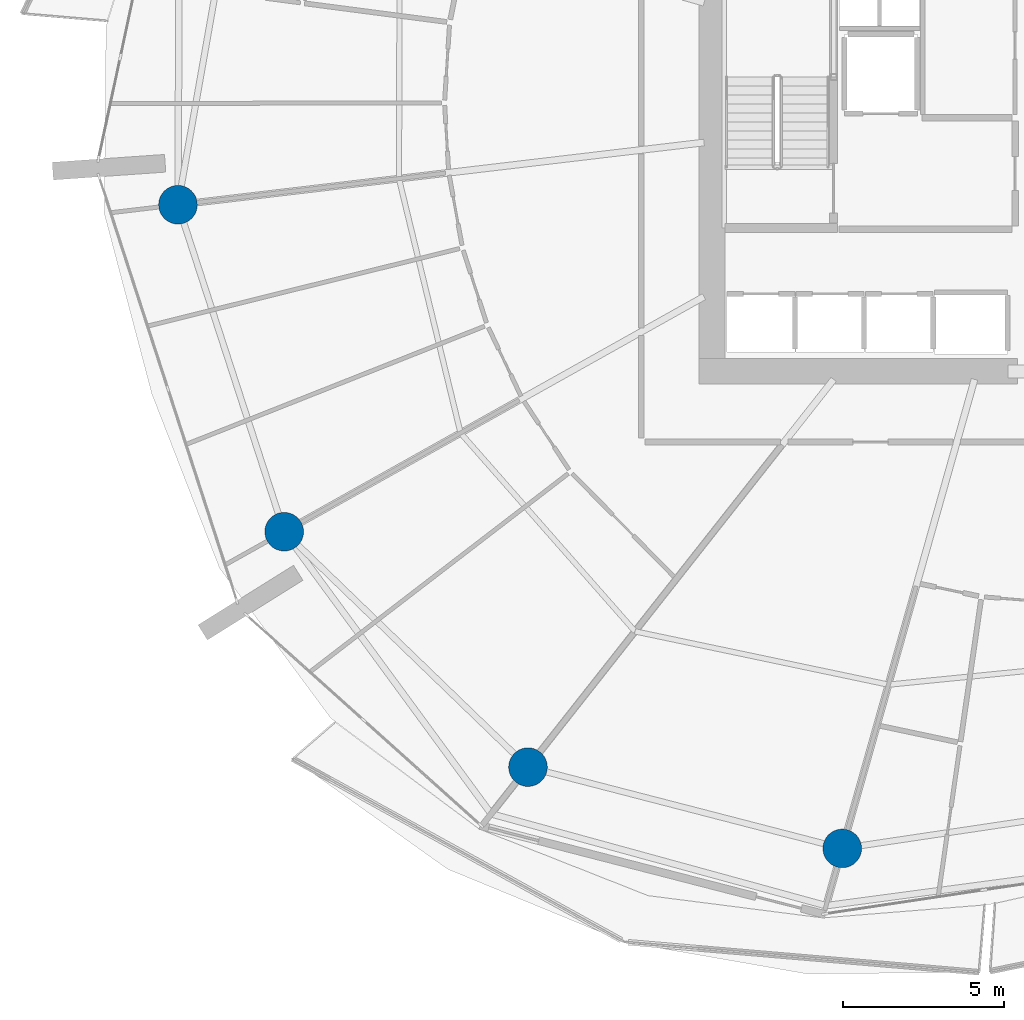
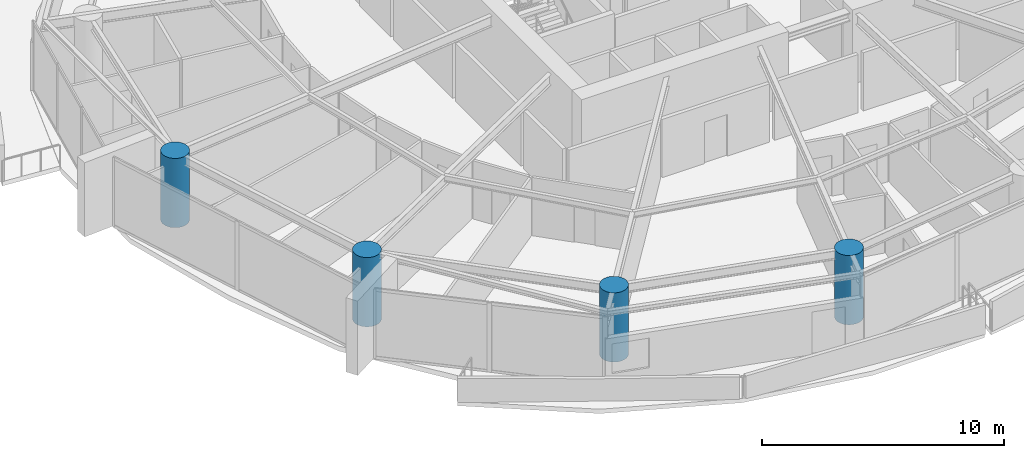
# One storey, part 1 of 23: 4 columns.
"""IFC4 building model written with IfcOpenShell, lengths in metres."""

from ifc_helpers import new_model, si_unit, direction, frame, origin, origin_2d, place, context, subcontext, project, spatial, circle, extrude, material, material_profile, profile_set, type_object, element, save


model = new_model("IFC4")

# Units and contexts
model_context = context("Model", 3, precision=1e-05, world=origin(), true_north=direction((0.0, 1.0)))
body_context = subcontext(model_context, "Body", "Model", "MODEL_VIEW")
ifc_project = project(units=[si_unit("LENGTHUNIT", "METRE"), si_unit("AREAUNIT", "SQUARE_METRE"), si_unit("VOLUMEUNIT", "CUBIC_METRE"), si_unit("PLANEANGLEUNIT", "RADIAN"), si_unit("MASSUNIT", "GRAM", prefix="KILO")], contexts=[model_context])

# Site, building, storey
site_placement = place(None, origin())
site = spatial("IfcSite", under=ifc_project, at=site_placement, CompositionType="ELEMENT")
building_placement = place(site_placement, origin())
building = spatial("IfcBuilding", under=site, at=building_placement, Name="Kazma Halo Residences", CompositionType="ELEMENT")
storey_placement = place(building_placement, frame((0.0, 0.0, 101.39990234375)))
storey = spatial("IfcBuildingStorey", under=building, at=storey_placement, Name="L25", CompositionType="ELEMENT", Elevation=101.39990234375)

# Columns
ifc_material = material(Name="Concrete C80/95", Category="concrete")
ifc_material_profile = material_profile(ifc_material, circle(Radius=0.60009765625, at=origin_2d()), Name="CIRC1200")
ifc_profile_set = profile_set([ifc_material_profile], Name="Concrete C80/95")
column_type = type_object("IfcColumnType", Name="COL-PERIM-1200", PredefinedType="COLUMN", material=ifc_profile_set)
for number, where, z_axis, x_axis, name in (
    (1, (20.79345703125, 38.77978515625, 0.0), (0.0, 0.0, 1.0), (1.0, 0.0, 0.0), "L25 perimeter ring column P08"),
    (2, (24.0966796875, 28.613525390625, 0.0), (0.0, 0.0, 1.0), (1.0, 0.0, 0.0), "L25 perimeter ring column P09"),
    (3, (31.676513671875, 21.293701171875, 0.0), (0.0, 0.0, 1.0), (1.0, 0.0, 0.0), "L25 perimeter ring column P10"),
    (4, (41.447265625, 18.765869140625, 0.0), (0.0, 0.0, 1.0), (1.0, 0.0, 0.0), "L25 perimeter ring column P11"),
):
    element("IfcColumn", number, at=place(storey_placement, frame(where, z_axis=z_axis, x_axis=x_axis)), inside=storey, type_object=column_type, Name=name, PredefinedType="COLUMN", context=body_context, shape_type="SweptSolid", body=[
        extrude(circle(Radius=0.60009765625, at=origin_2d()), origin(), (0.0, 0.0, 1.0), 3.5),
    ])

save(model, "model.ifc")
